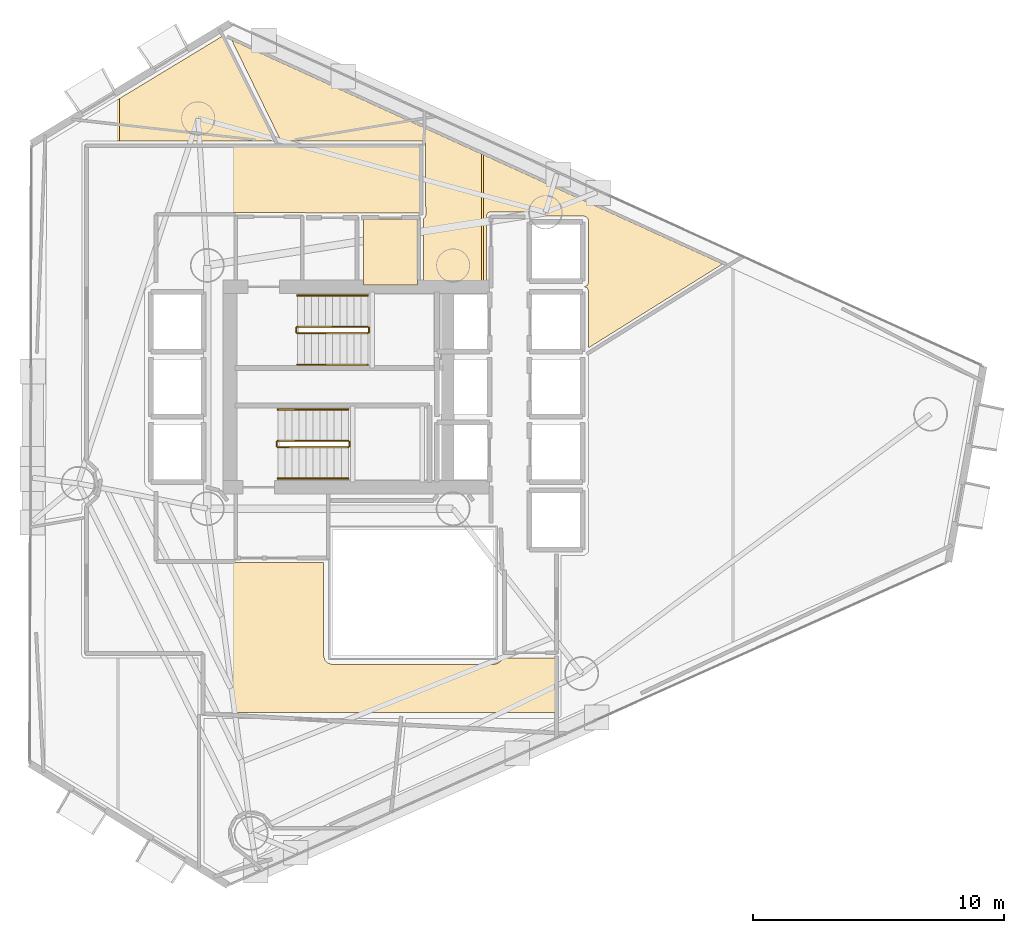
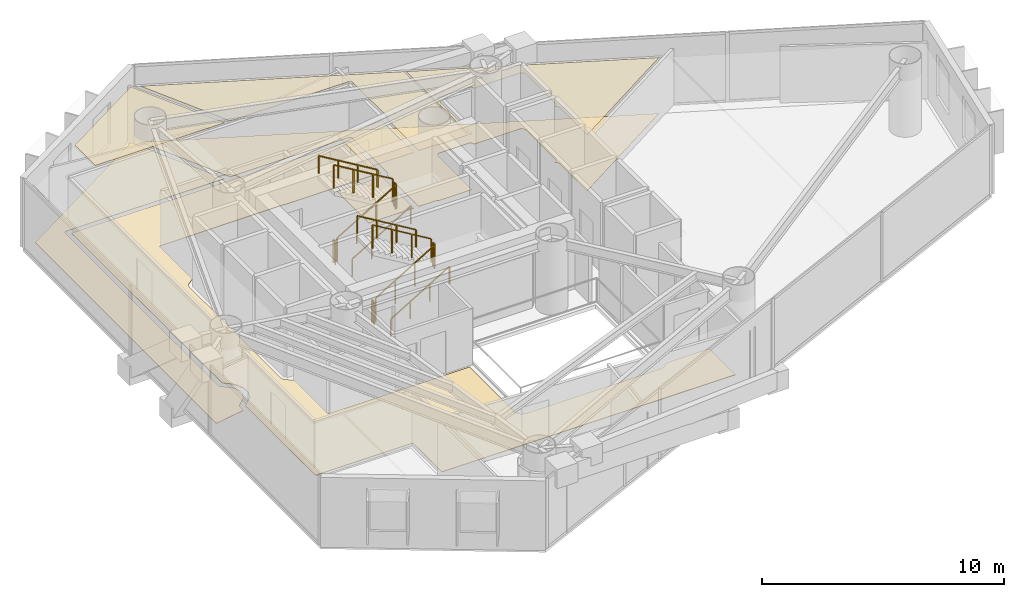
# One storey, part 22 of 23: 12 railings, 8 coverings.
"""IFC4 building model written with IfcOpenShell, lengths in metres."""

from ifc_helpers import new_model, si_unit, direction, frame, origin, origin_2d, place, context, subcontext, project, spatial, polyline, rectangle, outline, extrude, material, layer, layer_set, type_object, element, save


model = new_model("IFC4")

# Units and contexts
model_context = context("Model", 3, precision=1e-05, world=origin(), true_north=direction((0.0, 1.0)))
body_context = subcontext(model_context, "Body", "Model", "MODEL_VIEW")
ifc_project = project(units=[si_unit("LENGTHUNIT", "METRE"), si_unit("AREAUNIT", "SQUARE_METRE"), si_unit("VOLUMEUNIT", "CUBIC_METRE"), si_unit("PLANEANGLEUNIT", "RADIAN"), si_unit("MASSUNIT", "GRAM", prefix="KILO")], contexts=[model_context])

# Site, building, storey
site_placement = place(None, origin())
site = spatial("IfcSite", under=ifc_project, at=site_placement, CompositionType="ELEMENT")
building_placement = place(site_placement, origin())
building = spatial("IfcBuilding", under=site, at=building_placement, Name="Qianvela Tower", CompositionType="ELEMENT")
storey_placement = place(building_placement, frame((0.0, 0.0, 147.60009765625)))
storey = spatial("IfcBuildingStorey", under=building, at=storey_placement, Name="L37", CompositionType="ELEMENT", Elevation=147.60009765625)

# Coverings
ifc_material_1 = material(Name="Perforated Mineral Acoustic Ceiling Tile")
ifc_layer_1 = layer(ifc_material_1, 0.02490234375)
ifc_layer_set_1 = layer_set([ifc_layer_1], Name="Perforated Mineral Acoustic Ceiling Tile")
covering_type_1 = type_object("IfcCoveringType", Name="COV-CEIL-ACOUSTIC-25", PredefinedType="CEILING", material=ifc_layer_set_1)
covering_1_placement = place(storey_placement, frame((0.0, 0.0, 2.81494140625)))
element("IfcCovering", 1, at=covering_1_placement, inside=storey, type_object=covering_type_1, Name="L37 Acoustic Ceiling L37 Core Tea Pantry", PredefinedType="CEILING", context=body_context, shape_type="SweptSolid", body=[
    extrude(outline(polyline([(36.969970703125, 32.760009765625), (34.830078125, 32.760009765625), (34.830078125, 35.39990234375), (36.969970703125, 35.39990234375), (36.969970703125, 32.760009765625)])), origin(), (0.0, 0.0, 1.0), 0.02490234375),
])
covering_2_placement = place(storey_placement, frame((0.0, 0.0, 2.81494140625)))
element("IfcCovering", 2, at=covering_2_placement, inside=storey, type_object=covering_type_1, Name="L37 Acoustic Ceiling Bay 2 Student Bookshop Market L37-04", PredefinedType="CEILING", context=body_context, shape_type="SweptSolid", body=[
    extrude(outline(polyline([(29.212890625, 42.6962890625), (29.223388671875, 42.69140625), (31.2626953125, 38.510009765625), (25.106201171875, 38.510009765625), (25.106201171875, 40.206787109375), (29.212890625, 42.6962890625)])), origin(), (0.0, 0.0, 1.0), 0.02490234375),
])
covering_3_placement = place(storey_placement, frame((0.0, 0.0, 2.81494140625)))
element("IfcCovering", 3, at=covering_3_placement, inside=storey, type_object=covering_type_1, Name="L37 Acoustic Ceiling Bay 1 Stationery Supply Boutique L37-05", PredefinedType="CEILING", context=body_context, shape_type="SweptSolid", body=[
    extrude(outline(polyline([(38.126953125, 32.719970703125), (38.051025390625, 32.760009765625), (38.0439453125, 32.763427734375), (38.03662109375, 32.765869140625), (38.029296875, 32.767822265625), (38.021484375, 32.768798828125), (38.013916015625, 32.769287109375), (37.2099609375, 32.77001953125), (37.2099609375, 35.41796875), (37.220703125, 35.420654296875), (37.22802734375, 35.423095703125), (37.2353515625, 35.426025390625), (37.2421875, 35.4296875), (37.24853515625, 35.43408203125), (37.254638671875, 35.43896484375), (37.260009765625, 35.444580078125), (37.26513671875, 35.45068359375), (37.269287109375, 35.45703125), (37.273193359375, 35.464111328125), (37.30224609375, 35.52587890625), (37.30517578125, 35.532470703125), (37.307373046875, 35.539306640625), (37.308837890625, 35.546142578125), (37.309814453125, 35.55322265625), (37.31005859375, 35.560546875), (37.291748046875, 38.4013671875), (37.29150390625, 38.409423828125), (37.2900390625, 38.41748046875), (37.2880859375, 38.42529296875), (37.28515625, 38.43310546875), (37.281494140625, 38.440185546875), (37.277099609375, 38.447265625), (37.27197265625, 38.45361328125), (37.266357421875, 38.45947265625), (37.260009765625, 38.464599609375), (37.253173828125, 38.46923828125), (37.24609375, 38.47314453125), (37.18408203125, 38.502197265625), (37.176025390625, 38.505615234375), (37.16748046875, 38.508056640625), (37.15869140625, 38.509521484375), (37.14990234375, 38.510009765625), (31.5341796875, 38.510009765625), (29.572509765625, 42.5322265625), (39.522216796875, 37.9951171875), (39.522216796875, 32.719970703125), (38.126953125, 32.719970703125)])), origin(), (0.0, 0.0, 1.0), 0.02490234375),
])
covering_4_placement = place(storey_placement, frame((0.0, 0.0, 2.81494140625)))
element("IfcCovering", 4, at=covering_4_placement, inside=storey, type_object=covering_type_1, Name="L37 Acoustic Ceiling Bay 2 Stationery Supply Boutique L37-05", PredefinedType="CEILING", context=body_context, shape_type="SweptSolid", body=[
    extrude(outline(polyline([(43.722412109375, 32.739013671875), (43.729248046875, 32.74267578125), (43.73583984375, 32.746826171875), (43.741943359375, 32.751953125), (43.74755859375, 32.757568359375), (43.75244140625, 32.763427734375), (43.7568359375, 32.77001953125), (43.760498046875, 32.777099609375), (43.763427734375, 32.7841796875), (43.79541015625, 32.873046875), (43.7978515625, 32.8818359375), (43.799560546875, 32.890869140625), (43.800048828125, 32.89990234375), (43.800048828125, 35.300048828125), (43.799560546875, 35.307861328125), (43.798583984375, 35.315673828125), (43.796630859375, 35.3232421875), (43.77294921875, 35.40087890625), (43.770263671875, 35.408447265625), (43.76708984375, 35.41552734375), (43.762939453125, 35.422119140625), (43.75830078125, 35.428466796875), (43.7529296875, 35.434326171875), (43.747314453125, 35.439697265625), (43.684326171875, 35.4912109375), (43.677978515625, 35.495849609375), (43.67138671875, 35.5), (43.664306640625, 35.503173828125), (43.65673828125, 35.505859375), (43.649169921875, 35.5078125), (43.6416015625, 35.509033203125), (43.633544921875, 35.50927734375), (41.429931640625, 35.510986328125), (41.40625, 35.58740234375), (41.4033203125, 35.594970703125), (41.399658203125, 35.602294921875), (41.395263671875, 35.609375), (41.390380859375, 35.615966796875), (41.384521484375, 35.621826171875), (41.37841796875, 35.627197265625), (41.37158203125, 35.6318359375), (41.312255859375, 35.66796875), (41.305908203125, 35.67138671875), (41.299072265625, 35.67431640625), (41.2919921875, 35.6767578125), (41.284912109375, 35.67822265625), (41.277587890625, 35.67919921875), (41.270263671875, 35.6796875), (39.84912109375, 35.673828125), (39.84130859375, 35.673583984375), (39.83349609375, 35.67236328125), (39.825927734375, 35.67041015625), (39.818603515625, 35.667724609375), (39.8115234375, 35.664306640625), (39.8046875, 35.660400390625), (39.798583984375, 35.65576171875), (39.792724609375, 35.650390625), (39.78759765625, 35.64453125), (39.782958984375, 35.638427734375), (39.7333984375, 35.564453125), (39.7294921875, 35.5576171875), (39.72607421875, 35.550537109375), (39.723388671875, 35.543212890625), (39.721435546875, 35.53564453125), (39.720458984375, 35.52783203125), (39.719970703125, 35.52001953125), (39.719970703125, 32.719970703125), (39.602294921875, 32.719970703125), (39.602294921875, 37.958740234375), (49.145263671875, 33.60693359375), (43.800048828125, 30.266845703125), (43.800048828125, 32.5), (43.799560546875, 32.509033203125), (43.7978515625, 32.518310546875), (43.79541015625, 32.527099609375), (43.763427734375, 32.61572265625), (43.760498046875, 32.623046875), (43.7568359375, 32.6298828125), (43.75244140625, 32.636474609375), (43.74755859375, 32.642578125), (43.741943359375, 32.648193359375), (43.73583984375, 32.653076171875), (43.729248046875, 32.657470703125), (43.722412109375, 32.6611328125), (43.640380859375, 32.699951171875), (43.722412109375, 32.739013671875)])), origin(), (0.0, 0.0, 1.0), 0.02490234375),
])
ifc_material_2 = material(Name="Engineered Acoustic Oak Timber Flooring", Category="wood")
ifc_layer_2 = layer(ifc_material_2, 0.02001953125)
ifc_layer_set_2 = layer_set([ifc_layer_2], Name="Engineered Acoustic Oak Timber Flooring")
covering_type_2 = type_object("IfcCoveringType", Name="COV-FLOOR-OAK-20", PredefinedType="FLOORING", material=ifc_layer_set_2)
covering_5_placement = place(storey_placement, origin())
element("IfcCovering", 5, at=covering_5_placement, inside=storey, type_object=covering_type_2, Name="L37 Finish Flooring L37 Core Tea Pantry", PredefinedType="FLOORING", context=body_context, shape_type="SweptSolid", body=[
    extrude(outline(polyline([(36.969970703125, 32.760009765625), (34.830078125, 32.760009765625), (34.830078125, 35.39990234375), (36.969970703125, 35.39990234375), (36.969970703125, 32.760009765625)])), origin(), (0.0, 0.0, 1.0), 0.02001953125),
])
covering_6_placement = place(storey_placement, origin())
element("IfcCovering", 6, at=covering_6_placement, inside=storey, type_object=covering_type_2, Name="L37 Finish Flooring Student Bookshop Market L37-04", PredefinedType="FLOORING", context=body_context, shape_type="SweptSolid", body=[
    extrude(outline(polyline([(23.75, 38.510009765625), (23.7421875, 38.509521484375), (23.734375, 38.508544921875), (23.726806640625, 38.506591796875), (23.719482421875, 38.50390625), (23.71240234375, 38.50048828125), (23.645751953125, 38.465087890625), (23.638916015625, 38.4609375), (23.6328125, 38.456298828125), (23.626953125, 38.450927734375), (23.62158203125, 38.4453125), (23.616943359375, 38.43896484375), (23.613037109375, 38.43212890625), (23.609619140625, 38.425048828125), (23.60693359375, 38.417724609375), (23.60498046875, 38.41015625), (23.60400390625, 38.40234375), (23.603515625, 38.39453125), (23.590087890625, 25.76171875), (23.59033203125, 25.75390625), (23.591552734375, 25.74609375), (23.593505859375, 25.738525390625), (23.59619140625, 25.731201171875), (23.619384765625, 25.674560546875), (23.622802734375, 25.66748046875), (23.626953125, 25.660888671875), (23.631591796875, 25.654541015625), (23.63671875, 25.648681640625), (23.642578125, 25.643310546875), (23.965087890625, 25.378173828125), (24.051513671875, 25.273193359375), (24.163818359375, 25.001708984375), (24.163818359375, 24.71630859375), (24.0556640625, 24.455322265625), (23.6259765625, 24.05419921875), (23.620361328125, 24.048583984375), (23.615478515625, 24.042236328125), (23.611083984375, 24.03564453125), (23.607421875, 24.028564453125), (23.6044921875, 24.021240234375), (23.6025390625, 24.013671875), (23.60107421875, 24.005859375), (23.6005859375, 23.997802734375), (23.591796875, 23.67138671875), (22.14794921875, 23.4169921875), (22.189697265625, 38.438720703125), (29.212890625, 42.6962890625), (29.223388671875, 42.69140625), (31.2626953125, 38.510009765625), (23.75, 38.510009765625)])), origin(), (0.0, 0.0, 1.0), 0.02001953125),
])
covering_7_placement = place(storey_placement, origin())
element("IfcCovering", 7, at=covering_7_placement, inside=storey, type_object=covering_type_2, Name="L37 Finish Flooring Stationery Supply Boutique L37-05", PredefinedType="FLOORING", context=body_context, shape_type="SweptSolid", body=[
    extrude(outline(polyline([(43.640380859375, 32.699951171875), (43.722412109375, 32.739013671875), (43.729248046875, 32.74267578125), (43.73583984375, 32.746826171875), (43.741943359375, 32.751953125), (43.74755859375, 32.757568359375), (43.75244140625, 32.763427734375), (43.7568359375, 32.77001953125), (43.760498046875, 32.777099609375), (43.763427734375, 32.7841796875), (43.79541015625, 32.873046875), (43.7978515625, 32.8818359375), (43.799560546875, 32.890869140625), (43.800048828125, 32.89990234375), (43.800048828125, 35.300048828125), (43.799560546875, 35.307861328125), (43.798583984375, 35.315673828125), (43.796630859375, 35.3232421875), (43.77294921875, 35.40087890625), (43.770263671875, 35.408447265625), (43.76708984375, 35.41552734375), (43.762939453125, 35.422119140625), (43.75830078125, 35.428466796875), (43.7529296875, 35.434326171875), (43.747314453125, 35.439697265625), (43.684326171875, 35.4912109375), (43.677978515625, 35.495849609375), (43.67138671875, 35.5), (43.664306640625, 35.503173828125), (43.65673828125, 35.505859375), (43.649169921875, 35.5078125), (43.6416015625, 35.509033203125), (43.633544921875, 35.50927734375), (41.429931640625, 35.510986328125), (41.40625, 35.58740234375), (41.4033203125, 35.594970703125), (41.399658203125, 35.602294921875), (41.395263671875, 35.609375), (41.390380859375, 35.615966796875), (41.384521484375, 35.621826171875), (41.37841796875, 35.627197265625), (41.37158203125, 35.6318359375), (41.312255859375, 35.66796875), (41.305908203125, 35.67138671875), (41.299072265625, 35.67431640625), (41.2919921875, 35.6767578125), (41.284912109375, 35.67822265625), (41.277587890625, 35.67919921875), (41.270263671875, 35.6796875), (39.84912109375, 35.673828125), (39.84130859375, 35.673583984375), (39.83349609375, 35.67236328125), (39.825927734375, 35.67041015625), (39.818603515625, 35.667724609375), (39.8115234375, 35.664306640625), (39.8046875, 35.660400390625), (39.798583984375, 35.65576171875), (39.792724609375, 35.650390625), (39.78759765625, 35.64453125), (39.782958984375, 35.638427734375), (39.7333984375, 35.564453125), (39.7294921875, 35.5576171875), (39.72607421875, 35.550537109375), (39.723388671875, 35.543212890625), (39.721435546875, 35.53564453125), (39.720458984375, 35.52783203125), (39.719970703125, 35.52001953125), (39.719970703125, 32.719970703125), (38.126953125, 32.719970703125), (38.051025390625, 32.760009765625), (38.0439453125, 32.763427734375), (38.03662109375, 32.765869140625), (38.029296875, 32.767822265625), (38.021484375, 32.768798828125), (38.013916015625, 32.769287109375), (37.2099609375, 32.77001953125), (37.2099609375, 35.41796875), (37.220703125, 35.420654296875), (37.22802734375, 35.423095703125), (37.2353515625, 35.426025390625), (37.2421875, 35.4296875), (37.24853515625, 35.43408203125), (37.254638671875, 35.43896484375), (37.260009765625, 35.444580078125), (37.26513671875, 35.45068359375), (37.269287109375, 35.45703125), (37.273193359375, 35.464111328125), (37.30224609375, 35.52587890625), (37.30517578125, 35.532470703125), (37.307373046875, 35.539306640625), (37.308837890625, 35.546142578125), (37.309814453125, 35.55322265625), (37.31005859375, 35.560546875), (37.291748046875, 38.4013671875), (37.29150390625, 38.409423828125), (37.2900390625, 38.41748046875), (37.2880859375, 38.42529296875), (37.28515625, 38.43310546875), (37.281494140625, 38.440185546875), (37.277099609375, 38.447265625), (37.27197265625, 38.45361328125), (37.266357421875, 38.45947265625), (37.260009765625, 38.464599609375), (37.253173828125, 38.46923828125), (37.24609375, 38.47314453125), (37.18408203125, 38.502197265625), (37.176025390625, 38.505615234375), (37.16748046875, 38.508056640625), (37.15869140625, 38.509521484375), (37.14990234375, 38.510009765625), (31.5341796875, 38.510009765625), (29.572509765625, 42.5322265625), (49.145263671875, 33.60693359375), (43.800048828125, 30.266845703125), (43.800048828125, 32.5), (43.799560546875, 32.509033203125), (43.7978515625, 32.518310546875), (43.79541015625, 32.527099609375), (43.763427734375, 32.61572265625), (43.760498046875, 32.623046875), (43.7568359375, 32.6298828125), (43.75244140625, 32.636474609375), (43.74755859375, 32.642578125), (43.741943359375, 32.648193359375), (43.73583984375, 32.653076171875), (43.729248046875, 32.657470703125), (43.722412109375, 32.6611328125), (43.640380859375, 32.699951171875)])), origin(), (0.0, 0.0, 1.0), 0.02001953125),
])
ifc_material_3 = material(Name="Honed Stone Terrazzo Flooring", Category="masonry")
ifc_layer_3 = layer(ifc_material_3, 0.030029296875)
ifc_layer_set_3 = layer_set([ifc_layer_3], Name="Honed Stone Terrazzo Flooring")
covering_type_3 = type_object("IfcCoveringType", Name="COV-FLOOR-TERRAZZO-30", PredefinedType="FLOORING", material=ifc_layer_set_3)
covering_8_placement = place(storey_placement, origin())
element("IfcCovering", 8, at=covering_8_placement, inside=storey, type_object=covering_type_3, Name="L37 Finish Flooring L37 Floor Corridor", PredefinedType="FLOORING", context=body_context, shape_type="SweptSolid", body=[
    extrude(outline(polyline([(24.40380859375, 25.03369140625), (24.4033203125, 25.04150390625), (24.40234375, 25.04931640625), (24.400390625, 25.056884765625), (24.397705078125, 25.064208984375), (24.26416015625, 25.386962890625), (24.2607421875, 25.393798828125), (24.256591796875, 25.400634765625), (24.251953125, 25.406982421875), (24.140625, 25.54248046875), (24.135498046875, 25.54833984375), (24.129638671875, 25.5537109375), (23.830078125, 25.799560546875), (23.830078125, 38.27001953125), (37.070068359375, 38.27001953125), (37.070068359375, 35.639892578125), (32.5244140625, 35.639892578125), (32.43798828125, 35.659912109375), (32.428955078125, 35.66162109375), (32.419677734375, 35.662109375), (26.57958984375, 35.639892578125), (26.572021484375, 35.6396484375), (26.564208984375, 35.638427734375), (26.556396484375, 35.636474609375), (26.54931640625, 35.6337890625), (26.5419921875, 35.630615234375), (26.535400390625, 35.62646484375), (26.529052734375, 35.62158203125), (26.523193359375, 35.616455078125), (26.51806640625, 35.610595703125), (26.513427734375, 35.6044921875), (26.509521484375, 35.59765625), (26.506103515625, 35.590576171875), (26.50341796875, 35.583251953125), (26.50146484375, 35.57568359375), (26.50048828125, 35.56787109375), (26.5, 35.56005859375), (26.5, 32.906982421875), (26.173095703125, 32.6630859375), (26.16650390625, 32.65771484375), (26.16064453125, 32.6513671875), (26.1552734375, 32.644775390625), (26.15087890625, 32.637451171875), (26.147216796875, 32.629638671875), (26.106201171875, 32.530517578125), (26.103515625, 32.523193359375), (26.1015625, 32.515625), (26.100341796875, 32.5078125), (26.10009765625, 32.5), (26.10009765625, 24.89990234375), (26.100341796875, 24.89208984375), (26.1015625, 24.884521484375), (26.103515625, 24.876708984375), (26.106201171875, 24.869384765625), (26.147216796875, 24.7705078125), (26.15087890625, 24.7626953125), (26.1552734375, 24.75537109375), (26.16064453125, 24.74853515625), (26.16650390625, 24.742431640625), (26.173095703125, 24.73681640625), (26.5, 24.492919921875), (26.5, 21.780029296875), (26.50048828125, 21.772216796875), (26.50146484375, 21.764404296875), (26.50341796875, 21.7568359375), (26.506103515625, 21.74951171875), (26.509521484375, 21.7421875), (26.513427734375, 21.735595703125), (26.518310546875, 21.729248046875), (26.5234375, 21.723388671875), (26.529296875, 21.71826171875), (26.53564453125, 21.71337890625), (26.542236328125, 21.70947265625), (26.54931640625, 21.7060546875), (26.556884765625, 21.703369140625), (26.564453125, 21.701416015625), (26.572265625, 21.700439453125), (26.580078125, 21.699951171875), (33.239990234375, 21.699951171875), (33.239990234375, 18.0), (33.240478515625, 17.990234375), (33.242431640625, 17.980712890625), (33.275390625, 17.8486328125), (33.277587890625, 17.841064453125), (33.28076171875, 17.833740234375), (33.284423828125, 17.826904296875), (33.288818359375, 17.8203125), (33.293701171875, 17.814208984375), (33.38525390625, 17.71337890625), (33.391357421875, 17.70751953125), (33.398193359375, 17.701904296875), (33.405517578125, 17.697509765625), (33.4130859375, 17.693603515625), (33.421142578125, 17.690673828125), (33.576904296875, 17.643310546875), (33.58447265625, 17.6416015625), (33.59228515625, 17.640380859375), (33.60009765625, 17.639892578125), (40.0, 17.639892578125), (40.006591796875, 17.640380859375), (40.012939453125, 17.64111328125), (40.019287109375, 17.642333984375), (40.1513671875, 17.675537109375), (40.15869140625, 17.677734375), (40.166015625, 17.6806640625), (40.172607421875, 17.68408203125), (40.17919921875, 17.6884765625), (40.45947265625, 17.89306640625), (42.469970703125, 17.899658203125), (42.469970703125, 15.72998046875), (28.47998046875, 15.72998046875), (28.47998046875, 18.050048828125), (28.4794921875, 18.057861328125), (28.478515625, 18.065673828125), (28.4765625, 18.0732421875), (28.473876953125, 18.08056640625), (28.470703125, 18.087646484375), (28.466552734375, 18.094482421875), (28.4619140625, 18.100830078125), (28.45654296875, 18.106689453125), (28.45068359375, 18.11181640625), (28.4443359375, 18.116455078125), (28.437744140625, 18.12060546875), (28.4306640625, 18.123779296875), (28.423095703125, 18.126708984375), (28.41552734375, 18.12841796875), (28.40771484375, 18.129638671875), (28.39990234375, 18.1298828125), (23.830078125, 18.1298828125), (23.830078125, 23.921142578125), (24.244384765625, 24.302978515625), (24.25048828125, 24.30908203125), (24.255859375, 24.31591796875), (24.26025390625, 24.3232421875), (24.26416015625, 24.3310546875), (24.397705078125, 24.65380859375), (24.400390625, 24.6611328125), (24.40234375, 24.668701171875), (24.4033203125, 24.676513671875), (24.40380859375, 24.684326171875), (24.40380859375, 25.03369140625)])), origin(), (0.0, 0.0, 1.0), 0.02978515625),
])

# Railings
ifc_material_4 = material(Name="Painted Tubular Steel Q355B", Category="steel")
railing_type_1 = type_object("IfcRailingType", Name="RL-STAIR-GUARD-1200", PredefinedType="GUARDRAIL", material=ifc_material_4)
railing_1_placement = place(storey_placement, frame((32.199951171875, 30.840087890625, 0.16796875)))
element("IfcRailing", 9, at=railing_1_placement, inside=storey, type_object=railing_type_1, Name="L37 ST-1 stair guard 1", PredefinedType="GUARDRAIL", context=body_context, shape_type="SweptSolid", body=[
    extrude(rectangle(XDim=0.050048828125, YDim=0.0400390625, at=origin_2d()), frame((0.0, 0.0, 1.179931640625), z_axis=(0.857242210791, 0.0, 0.514913383045), x_axis=(0.0, 1.0, 0.0)), (0.0, 0.0, 1.0), 3.266357421875),
    extrude(rectangle(XDim=0.050048828125, YDim=0.050048828125, at=origin_2d()), origin(), (0.0, 0.0, 1.0), 1.159912109375),
    extrude(rectangle(XDim=0.050048828125, YDim=0.050048828125, at=origin_2d()), frame((0.933349609375, 0.0, 0.560546875)), (0.0, 0.0, 1.0), 1.159912109375),
    extrude(rectangle(XDim=0.050048828125, YDim=0.050048828125, at=origin_2d()), frame((1.86669921875, 0.0, 1.121337890625)), (0.0, 0.0, 1.0), 1.159912109375),
    extrude(rectangle(XDim=0.050048828125, YDim=0.050048828125, at=origin_2d()), frame((2.800048828125, 0.0, 1.681884765625)), (0.0, 0.0, 1.0), 1.159912109375),
])
railing_2_placement = place(storey_placement, frame((35.050048828125, 30.889892578125, 1.849853515625)))
element("IfcRailing", 10, at=railing_2_placement, inside=storey, type_object=railing_type_1, Name="L37 ST-1 stair guard 2", PredefinedType="GUARDRAIL", context=body_context, shape_type="SweptSolid", body=[
    extrude(rectangle(XDim=0.050048828125, YDim=0.0400390625, at=origin_2d()), frame((0.0, 0.0, 1.179931640625), z_axis=(0.0, 1.0, 0.0), x_axis=(-1.0, 0.0, 0.0)), (0.0, 0.0, 1.0), 0.16015625),
    extrude(rectangle(XDim=0.050048828125, YDim=0.050048828125, at=origin_2d()), origin(), (0.0, 0.0, 1.0), 1.159912109375),
    extrude(rectangle(XDim=0.050048828125, YDim=0.050048828125, at=origin_2d()), frame((0.0, 0.16015625, 0.0)), (0.0, 0.0, 1.0), 1.159912109375),
])
railing_3_placement = place(storey_placement, frame((35.0, 31.10009765625, 2.01806640625)))
element("IfcRailing", 11, at=railing_3_placement, inside=storey, type_object=railing_type_1, Name="L37 ST-1 stair guard 3", PredefinedType="GUARDRAIL", context=body_context, shape_type="SweptSolid", body=[
    extrude(rectangle(XDim=0.050048828125, YDim=0.0400390625, at=origin_2d()), frame((0.0, 0.0, 1.179931640625), z_axis=(-0.857242210791, 0.0, 0.514913383045), x_axis=(0.0, -1.0, 0.0)), (0.0, 0.0, 1.0), 3.266357421875),
    extrude(rectangle(XDim=0.050048828125, YDim=0.050048828125, at=origin_2d()), origin(), (0.0, 0.0, 1.0), 1.159912109375),
    extrude(rectangle(XDim=0.050048828125, YDim=0.050048828125, at=origin_2d()), frame((-0.933349609375, 0.0, 0.560546875)), (0.0, 0.0, 1.0), 1.159912109375),
    extrude(rectangle(XDim=0.050048828125, YDim=0.050048828125, at=origin_2d()), frame((-1.86669921875, 0.0, 1.121337890625)), (0.0, 0.0, 1.0), 1.159912109375),
    extrude(rectangle(XDim=0.050048828125, YDim=0.050048828125, at=origin_2d()), frame((-2.800048828125, 0.0, 1.681884765625)), (0.0, 0.0, 1.0), 1.159912109375),
])
railing_4_placement = place(storey_placement, frame((32.14990234375, 30.889892578125, 0.0)))
element("IfcRailing", 12, at=railing_4_placement, inside=storey, type_object=railing_type_1, Name="L37 ST-1 stair guard 4", PredefinedType="GUARDRAIL", context=body_context, shape_type="SweptSolid", body=[
    extrude(rectangle(XDim=0.050048828125, YDim=0.0400390625, at=origin_2d()), frame((0.0, 0.0, 1.179931640625), z_axis=(0.0, 1.0, 0.0), x_axis=(-1.0, 0.0, 0.0)), (0.0, 0.0, 1.0), 0.16015625),
    extrude(rectangle(XDim=0.050048828125, YDim=0.050048828125, at=origin_2d()), origin(), (0.0, 0.0, 1.0), 1.159912109375),
    extrude(rectangle(XDim=0.050048828125, YDim=0.050048828125, at=origin_2d()), frame((0.0, 0.16015625, 0.0)), (0.0, 0.0, 1.0), 1.159912109375),
])
railing_5_placement = place(storey_placement, frame((31.419921875, 26.300048828125, 0.16796875)))
element("IfcRailing", 13, at=railing_5_placement, inside=storey, type_object=railing_type_1, Name="L37 ST-2 stair guard 1", PredefinedType="GUARDRAIL", context=body_context, shape_type="SweptSolid", body=[
    extrude(rectangle(XDim=0.050048828125, YDim=0.0400390625, at=origin_2d()), frame((0.0, 0.0, 1.179931640625), z_axis=(0.857242210791, 0.0, 0.514913383045), x_axis=(0.0, 1.0, 0.0)), (0.0, 0.0, 1.0), 3.266357421875),
    extrude(rectangle(XDim=0.050048828125, YDim=0.050048828125, at=origin_2d()), origin(), (0.0, 0.0, 1.0), 1.159912109375),
    extrude(rectangle(XDim=0.050048828125, YDim=0.050048828125, at=origin_2d()), frame((0.933349609375, 0.0, 0.560546875)), (0.0, 0.0, 1.0), 1.159912109375),
    extrude(rectangle(XDim=0.050048828125, YDim=0.050048828125, at=origin_2d()), frame((1.86669921875, 0.0, 1.121337890625)), (0.0, 0.0, 1.0), 1.159912109375),
    extrude(rectangle(XDim=0.050048828125, YDim=0.050048828125, at=origin_2d()), frame((2.800048828125, 0.0, 1.681884765625)), (0.0, 0.0, 1.0), 1.159912109375),
])
railing_6_placement = place(storey_placement, frame((34.27001953125, 26.35009765625, 1.849853515625)))
element("IfcRailing", 14, at=railing_6_placement, inside=storey, type_object=railing_type_1, Name="L37 ST-2 stair guard 2", PredefinedType="GUARDRAIL", context=body_context, shape_type="SweptSolid", body=[
    extrude(rectangle(XDim=0.050048828125, YDim=0.0400390625, at=origin_2d()), frame((0.0, 0.0, 1.179931640625), z_axis=(0.0, 1.0, 0.0), x_axis=(-1.0, 0.0, 0.0)), (0.0, 0.0, 1.0), 0.159912109375),
    extrude(rectangle(XDim=0.050048828125, YDim=0.050048828125, at=origin_2d()), origin(), (0.0, 0.0, 1.0), 1.159912109375),
    extrude(rectangle(XDim=0.050048828125, YDim=0.050048828125, at=origin_2d()), frame((0.0, 0.159912109375, 0.0)), (0.0, 0.0, 1.0), 1.159912109375),
])
railing_7_placement = place(storey_placement, frame((34.219970703125, 26.56005859375, 2.01806640625)))
element("IfcRailing", 15, at=railing_7_placement, inside=storey, type_object=railing_type_1, Name="L37 ST-2 stair guard 3", PredefinedType="GUARDRAIL", context=body_context, shape_type="SweptSolid", body=[
    extrude(rectangle(XDim=0.050048828125, YDim=0.0400390625, at=origin_2d()), frame((0.0, 0.0, 1.179931640625), z_axis=(-0.857242210791, 0.0, 0.514913383045), x_axis=(0.0, -1.0, 0.0)), (0.0, 0.0, 1.0), 3.266357421875),
    extrude(rectangle(XDim=0.050048828125, YDim=0.050048828125, at=origin_2d()), origin(), (0.0, 0.0, 1.0), 1.159912109375),
    extrude(rectangle(XDim=0.050048828125, YDim=0.050048828125, at=origin_2d()), frame((-0.933349609375, 0.0, 0.560546875)), (0.0, 0.0, 1.0), 1.159912109375),
    extrude(rectangle(XDim=0.050048828125, YDim=0.050048828125, at=origin_2d()), frame((-1.86669921875, 0.0, 1.121337890625)), (0.0, 0.0, 1.0), 1.159912109375),
    extrude(rectangle(XDim=0.050048828125, YDim=0.050048828125, at=origin_2d()), frame((-2.800048828125, 0.0, 1.681884765625)), (0.0, 0.0, 1.0), 1.159912109375),
])
railing_8_placement = place(storey_placement, frame((31.3701171875, 26.35009765625, 0.0)))
element("IfcRailing", 16, at=railing_8_placement, inside=storey, type_object=railing_type_1, Name="L37 ST-2 stair guard 4", PredefinedType="GUARDRAIL", context=body_context, shape_type="SweptSolid", body=[
    extrude(rectangle(XDim=0.050048828125, YDim=0.0400390625, at=origin_2d()), frame((0.0, 0.0, 1.179931640625), z_axis=(0.0, 1.0, 0.0), x_axis=(-1.0, 0.0, 0.0)), (0.0, 0.0, 1.0), 0.159912109375),
    extrude(rectangle(XDim=0.050048828125, YDim=0.050048828125, at=origin_2d()), origin(), (0.0, 0.0, 1.0), 1.159912109375),
    extrude(rectangle(XDim=0.050048828125, YDim=0.050048828125, at=origin_2d()), frame((0.0, 0.159912109375, 0.0)), (0.0, 0.0, 1.0), 1.159912109375),
])
ifc_material_5 = material(Name="Brushed Stainless Steel 304", Category="steel")
railing_type_2 = type_object("IfcRailingType", Name="RL-STAIR-HANDRAIL-900", PredefinedType="HANDRAIL", material=ifc_material_5)
railing_9_placement = place(storey_placement, frame((32.199951171875, 29.590087890625, 0.16796875)))
element("IfcRailing", 17, at=railing_9_placement, inside=storey, type_object=railing_type_2, Name="L37 ST-1 stair handrail 1", PredefinedType="HANDRAIL", context=body_context, shape_type="SweptSolid", body=[
    extrude(rectangle(XDim=0.050048828125, YDim=0.0400390625, at=origin_2d()), frame((0.0, 0.0, 0.8798828125), z_axis=(0.857242210791, 0.0, 0.514913383045), x_axis=(0.0, 1.0, 0.0)), (0.0, 0.0, 1.0), 3.266357421875),
    extrude(rectangle(XDim=0.050048828125, YDim=0.050048828125, at=origin_2d()), origin(), (0.0, 0.0, 1.0), 0.85986328125),
    extrude(rectangle(XDim=0.050048828125, YDim=0.050048828125, at=origin_2d()), frame((0.933349609375, 0.0, 0.560546875)), (0.0, 0.0, 1.0), 0.85986328125),
    extrude(rectangle(XDim=0.050048828125, YDim=0.050048828125, at=origin_2d()), frame((1.86669921875, 0.0, 1.121337890625)), (0.0, 0.0, 1.0), 0.85986328125),
    extrude(rectangle(XDim=0.050048828125, YDim=0.050048828125, at=origin_2d()), frame((2.800048828125, 0.0, 1.681884765625)), (0.0, 0.0, 1.0), 0.85986328125),
])
railing_10_placement = place(storey_placement, frame((35.0, 32.35009765625, 2.01806640625)))
element("IfcRailing", 18, at=railing_10_placement, inside=storey, type_object=railing_type_2, Name="L37 ST-1 stair handrail 2", PredefinedType="HANDRAIL", context=body_context, shape_type="SweptSolid", body=[
    extrude(rectangle(XDim=0.050048828125, YDim=0.0400390625, at=origin_2d()), frame((0.0, 0.0, 0.8798828125), z_axis=(-0.857242210791, 0.0, 0.514913383045), x_axis=(0.0, -1.0, 0.0)), (0.0, 0.0, 1.0), 3.266357421875),
    extrude(rectangle(XDim=0.050048828125, YDim=0.050048828125, at=origin_2d()), origin(), (0.0, 0.0, 1.0), 0.85986328125),
    extrude(rectangle(XDim=0.050048828125, YDim=0.050048828125, at=origin_2d()), frame((-0.933349609375, 0.0, 0.560546875)), (0.0, 0.0, 1.0), 0.85986328125),
    extrude(rectangle(XDim=0.050048828125, YDim=0.050048828125, at=origin_2d()), frame((-1.86669921875, 0.0, 1.121337890625)), (0.0, 0.0, 1.0), 0.85986328125),
    extrude(rectangle(XDim=0.050048828125, YDim=0.050048828125, at=origin_2d()), frame((-2.800048828125, 0.0, 1.681884765625)), (0.0, 0.0, 1.0), 0.85986328125),
])
railing_11_placement = place(storey_placement, frame((31.419921875, 25.050048828125, 0.16796875)))
element("IfcRailing", 19, at=railing_11_placement, inside=storey, type_object=railing_type_2, Name="L37 ST-2 stair handrail 1", PredefinedType="HANDRAIL", context=body_context, shape_type="SweptSolid", body=[
    extrude(rectangle(XDim=0.050048828125, YDim=0.0400390625, at=origin_2d()), frame((0.0, 0.0, 0.8798828125), z_axis=(0.857242210791, 0.0, 0.514913383045), x_axis=(0.0, 1.0, 0.0)), (0.0, 0.0, 1.0), 3.266357421875),
    extrude(rectangle(XDim=0.050048828125, YDim=0.050048828125, at=origin_2d()), origin(), (0.0, 0.0, 1.0), 0.85986328125),
    extrude(rectangle(XDim=0.050048828125, YDim=0.050048828125, at=origin_2d()), frame((0.933349609375, 0.0, 0.560546875)), (0.0, 0.0, 1.0), 0.85986328125),
    extrude(rectangle(XDim=0.050048828125, YDim=0.050048828125, at=origin_2d()), frame((1.86669921875, 0.0, 1.121337890625)), (0.0, 0.0, 1.0), 0.85986328125),
    extrude(rectangle(XDim=0.050048828125, YDim=0.050048828125, at=origin_2d()), frame((2.800048828125, 0.0, 1.681884765625)), (0.0, 0.0, 1.0), 0.85986328125),
])
railing_12_placement = place(storey_placement, frame((34.219970703125, 27.81005859375, 2.01806640625)))
element("IfcRailing", 20, at=railing_12_placement, inside=storey, type_object=railing_type_2, Name="L37 ST-2 stair handrail 2", PredefinedType="HANDRAIL", context=body_context, shape_type="SweptSolid", body=[
    extrude(rectangle(XDim=0.050048828125, YDim=0.0400390625, at=origin_2d()), frame((0.0, 0.0, 0.8798828125), z_axis=(-0.857242210791, 0.0, 0.514913383045), x_axis=(0.0, -1.0, 0.0)), (0.0, 0.0, 1.0), 3.266357421875),
    extrude(rectangle(XDim=0.050048828125, YDim=0.050048828125, at=origin_2d()), origin(), (0.0, 0.0, 1.0), 0.85986328125),
    extrude(rectangle(XDim=0.050048828125, YDim=0.050048828125, at=origin_2d()), frame((-0.933349609375, 0.0, 0.560546875)), (0.0, 0.0, 1.0), 0.85986328125),
    extrude(rectangle(XDim=0.050048828125, YDim=0.050048828125, at=origin_2d()), frame((-1.86669921875, 0.0, 1.121337890625)), (0.0, 0.0, 1.0), 0.85986328125),
    extrude(rectangle(XDim=0.050048828125, YDim=0.050048828125, at=origin_2d()), frame((-2.800048828125, 0.0, 1.681884765625)), (0.0, 0.0, 1.0), 0.85986328125),
])

save(model, "model.ifc")
